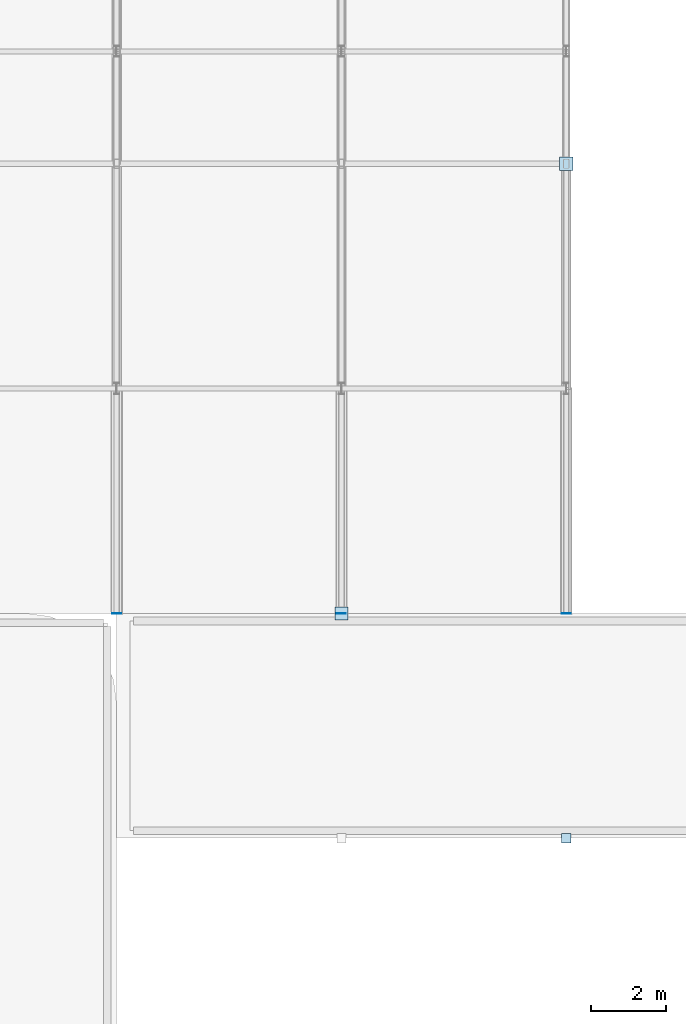
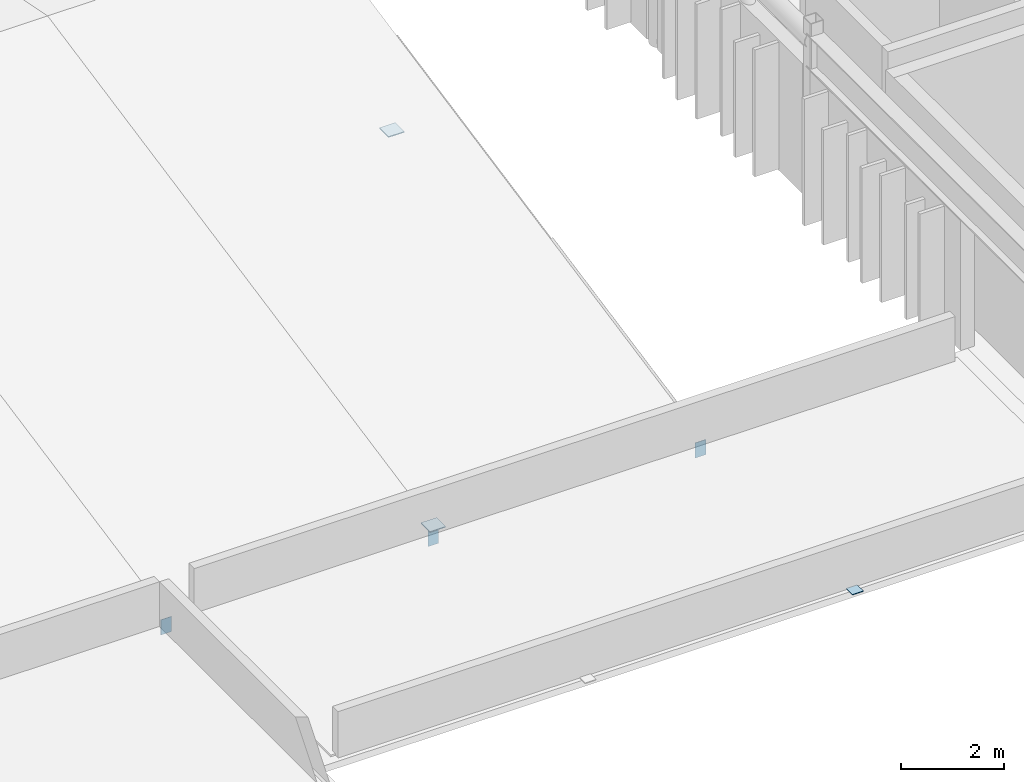
# One storey, part 55 of 83: 6 plates.
"""IFC4 building model written with IfcOpenShell, lengths in metres."""

from ifc_helpers import new_model, si_unit, direction, frame, origin, origin_2d, place, context, subcontext, project, spatial, rectangle, extrude, material, layer, layer_set, type_object, element, save


model = new_model("IFC4")

# Units and contexts
model_context = context("Model", 3, precision=1e-05, world=origin(), true_north=direction((0.0, 1.0)))
body_context = subcontext(model_context, "Body", "Model", "MODEL_VIEW")
ifc_project = project(units=[si_unit("LENGTHUNIT", "METRE"), si_unit("AREAUNIT", "SQUARE_METRE"), si_unit("VOLUMEUNIT", "CUBIC_METRE"), si_unit("PLANEANGLEUNIT", "RADIAN"), si_unit("MASSUNIT", "GRAM", prefix="KILO")], contexts=[model_context])

# Site, building, storey
site_placement = place(None, origin())
site = spatial("IfcSite", under=ifc_project, at=site_placement, CompositionType="ELEMENT")
building_placement = place(site_placement, origin())
building = spatial("IfcBuilding", under=site, at=building_placement, Name="Varnakota Square Police Headquarters", CompositionType="ELEMENT")
storey_placement = place(building_placement, frame((0.0, 0.0, 18.0)))
storey = spatial("IfcBuildingStorey", under=building, at=storey_placement, Name="L04", CompositionType="ELEMENT", Elevation=18.0)

# Plates
ifc_material = material(Name="Steel IS 2062 Grade 350", Category="steel")
ifc_layer_1 = layer(ifc_material, 0.01611328125, Name="Steel IS 2062 Grade 350")
ifc_layer_set_1 = layer_set([ifc_layer_1], Name="Steel IS 2062 Grade 350")
plate_type_1 = type_object("IfcPlateType", Name="PL-CAP-16", PredefinedType="SHEET", material=ifc_layer_set_1)
plate_placement = place(storey_placement, frame((54.0, 69.0, -0.001953125), z_axis=(0.0, 0.0, 1.0), x_axis=(1.0, 0.0, 0.0)))
element("IfcPlate", 1, at=plate_placement, inside=storey, type_object=plate_type_1, Name="Hollow column top cap plate CP-COL-X0540-Y0690", PredefinedType="SHEET", context=body_context, shape_type="SweptSolid", body=[
    extrude(rectangle(XDim=0.2490234375, YDim=0.2490234375, at=origin_2d()), origin(), (0.0, 0.0, 1.0), 0.01611328125),
])
ifc_layer_2 = layer(ifc_material, 0.02001953125, Name="Steel IS 2062 Grade 350")
ifc_layer_set_2 = layer_set([ifc_layer_2], Name="Steel IS 2062 Grade 350")
plate_type_2 = type_object("IfcPlateType", Name="PL-CAP-20", PredefinedType="SHEET", material=ifc_layer_set_2)
for number, where, z_axis, x_axis, name in (
    (2, (48.0, 75.0, -0.001953125), (0.0, 0.0, 1.0), (1.0, 0.0, 0.0), "Hollow column top cap plate CP-COL-X0480-Y0750"),
    (3, (54.0, 87.0, -0.001953125), (0.0, 0.0, 1.0), (1.0, 0.0, 0.0), "Hollow column top cap plate CP-COL-X0540-Y0870"),
):
    element("IfcPlate", number, at=place(storey_placement, frame(where, z_axis=z_axis, x_axis=x_axis)), inside=storey, type_object=plate_type_2, Name=name, PredefinedType="SHEET", context=body_context, shape_type="SweptSolid", body=[
        extrude(rectangle(XDim=0.35400390625, YDim=0.35400390625, at=origin_2d()), origin(), (0.0, 0.0, 1.0), 0.02001953125),
    ])
ifc_layer_3 = layer(ifc_material, 0.011962890625, Name="Steel IS 2062 Grade 350")
ifc_layer_set_3 = layer_set([ifc_layer_3], Name="Steel IS 2062 Grade 350")
plate_type_3 = type_object("IfcPlateType", Name="PL-END-12", PredefinedType="SHEET", material=ifc_layer_set_3)
for number, where, z_axis, x_axis, name in (
    (4, (42.0, 75.0, -0.4599609375), (0.0, 0.0, 1.0), (1.0, 0.0, 0.0), "Hollow chord end-cap plate EP-011"),
    (5, (48.0, 75.0, -0.4599609375), (0.0, 0.0, 1.0), (1.0, 0.0, 0.0), "Hollow chord end-cap plate EP-013"),
    (6, (54.0, 75.0, -0.4599609375), (0.0, 0.0, 1.0), (1.0, 0.0, 0.0), "Hollow chord end-cap plate EP-015"),
):
    element("IfcPlate", number, at=place(storey_placement, frame(where, z_axis=z_axis, x_axis=x_axis)), inside=storey, type_object=plate_type_3, Name=name, PredefinedType="SHEET", context=body_context, shape_type="SweptSolid", body=[
        extrude(rectangle(XDim=0.239990234375, YDim=0.011962890625, at=origin_2d()), origin(), (0.0, 0.0, 1.0), 0.360107421875),
    ])

save(model, "model.ifc")
